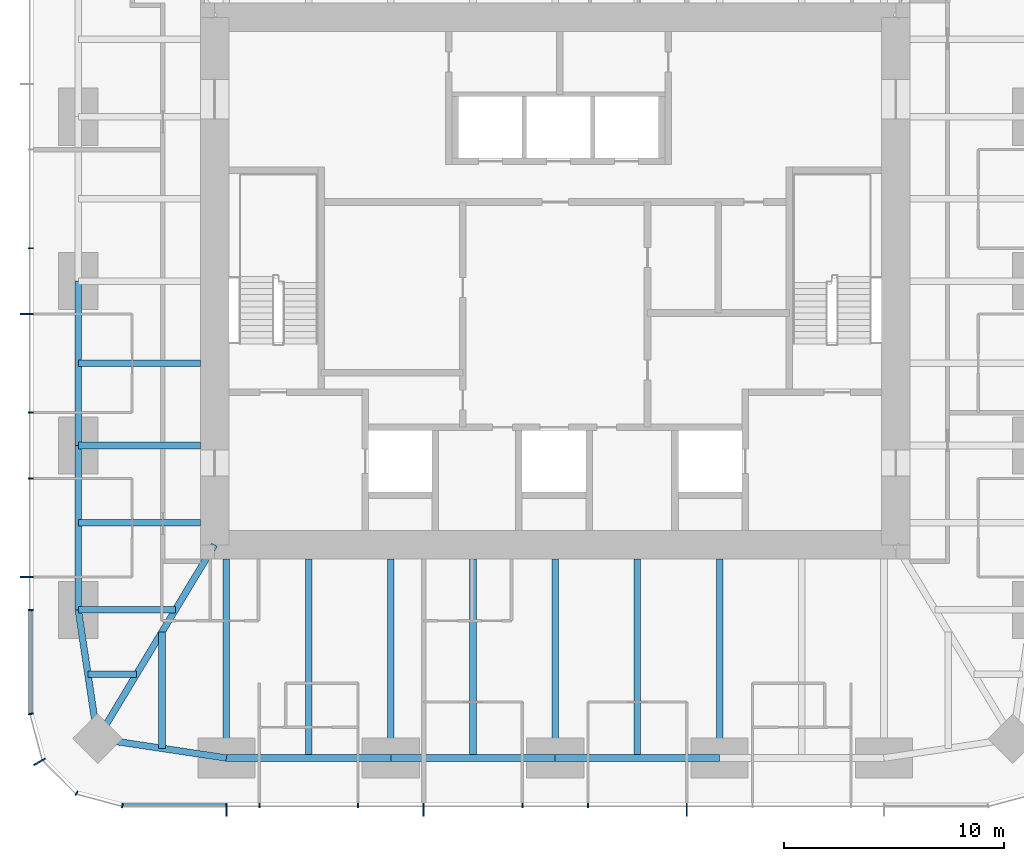
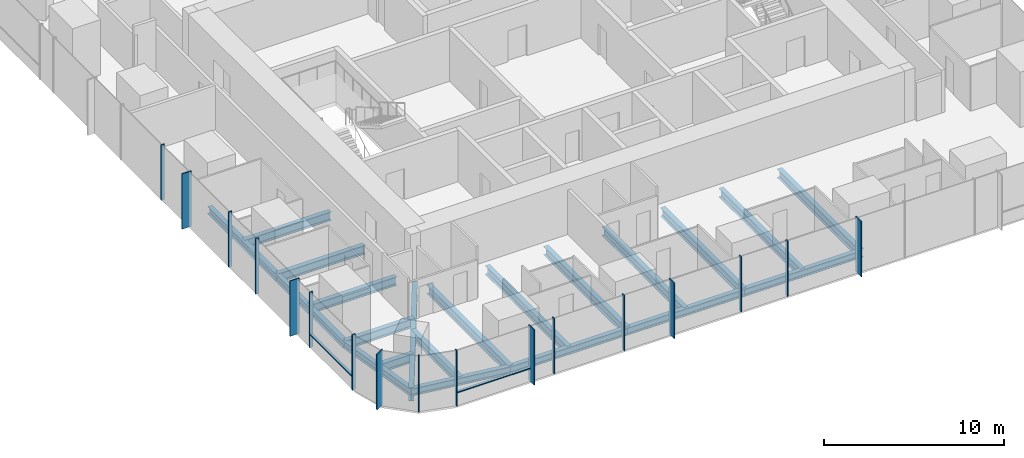
# One storey, part 2 of 12: 21 beams, 19 members, 3 elements without a shape of their own.
"""IFC4 building model written with IfcOpenShell, lengths in metres."""

from ifc_helpers import new_model, si_unit, direction, frame, origin, origin_2d, place, context, subcontext, project, spatial, rectangle, i_section, extrude, material, material_profile, profile_set, type_object, element, aggregate, save


model = new_model("IFC4")

# Units and contexts
model_context = context("Model", 3, precision=1e-05, world=origin(), true_north=direction((0.0, 1.0)))
body_context = subcontext(model_context, "Body", "Model", "MODEL_VIEW")
ifc_project = project(units=[si_unit("LENGTHUNIT", "METRE"), si_unit("AREAUNIT", "SQUARE_METRE"), si_unit("VOLUMEUNIT", "CUBIC_METRE"), si_unit("PLANEANGLEUNIT", "RADIAN"), si_unit("MASSUNIT", "GRAM", prefix="KILO")], contexts=[model_context])

# Site, building, storey
site_placement = place(None, origin())
site = spatial("IfcSite", under=ifc_project, at=site_placement, CompositionType="ELEMENT")
building_placement = place(site_placement, origin())
building = spatial("IfcBuilding", under=site, at=building_placement, Name="Khuree Lantern Residences", CompositionType="ELEMENT")
storey_placement = place(building_placement, frame((0.0, 0.0, 297.0)))
storey = spatial("IfcBuildingStorey", under=building, at=storey_placement, Name="L74", CompositionType="ELEMENT", Elevation=297.0)

# Beams
ifc_material_1 = material(Name="Steel S355", Category="steel")
ifc_material_profile_1 = material_profile(ifc_material_1, i_section(OverallWidth=0.300048828125, OverallDepth=0.590087890625, WebThickness=0.012939453125, FlangeThickness=0.02490234375, FilletRadius=0.027099609375, at=origin_2d()), Name="HE 600 A")
ifc_profile_set_1 = profile_set([ifc_material_profile_1], Name="Steel S355")
beam_type_1 = type_object("IfcBeamType", Name="B-41A SECONDARY BEAM HE 600 A", PredefinedType="BEAM", material=ifc_profile_set_1)
for number, where, z_axis, x_axis, name in (
    (1, (3.739990234375, -21.699951171875, -0.544921875), (0.0, 1.0, 0.0), (-1.0, 0.0, 0.0), "Secondary beam S3"),
    (2, (-3.739990234375, -21.699951171875, -0.544921875), (0.0, 1.0, 0.0), (-1.0, 0.0, 0.0), "Secondary beam S4"),
    (3, (-11.219970703125, -21.699951171875, -0.544921875), (0.0, 1.0, 0.0), (-1.0, 0.0, 0.0), "Secondary beam S5"),
):
    element("IfcBeam", number, at=place(storey_placement, frame(where, z_axis=z_axis, x_axis=x_axis)), inside=storey, type_object=beam_type_1, Name=name, PredefinedType="BEAM", context=body_context, shape_type="SweptSolid", body=[
        extrude(i_section(OverallWidth=0.300048828125, OverallDepth=0.590087890625, WebThickness=0.012939453125, FlangeThickness=0.02490234375, FilletRadius=0.027099609375, at=origin_2d()), origin(), (0.0, 0.0, 1.0), 9.050048828125),
    ])
beam_1_placement = place(storey_placement, frame((-17.890625, -21.2607421875, -0.544921875), z_axis=(0.0, 1.0, 0.0), x_axis=(-1.0, 0.0, 0.0)))
element("IfcBeam", 4, at=beam_1_placement, inside=storey, type_object=beam_type_1, Name="Secondary beam S6", PredefinedType="BEAM", context=body_context, shape_type="SweptSolid", body=[
    extrude(i_section(OverallWidth=0.300048828125, OverallDepth=0.590087890625, WebThickness=0.012939453125, FlangeThickness=0.02490234375, FilletRadius=0.027099609375, at=origin_2d()), origin(), (0.0, 0.0, 1.0), 5.297607421875),
])
beam_2_placement = place(storey_placement, frame((-21.2607421875, -17.890625, -0.544921875), z_axis=(1.0, 0.0, 0.0), x_axis=(0.0, 1.0, 0.0)))
element("IfcBeam", 5, at=beam_2_placement, inside=storey, type_object=beam_type_1, Name="Secondary beam W1", PredefinedType="BEAM", context=body_context, shape_type="SweptSolid", body=[
    extrude(i_section(OverallWidth=0.300048828125, OverallDepth=0.590087890625, WebThickness=0.012939453125, FlangeThickness=0.02490234375, FilletRadius=0.027099609375, at=origin_2d()), origin(), (0.0, 0.0, 1.0), 2.207275390625),
])
for number, where, z_axis, x_axis, name in (
    (6, (-21.699951171875, -11.0, -0.544921875), (1.0, 0.0, 0.0), (0.0, 1.0, 0.0), "Secondary beam W2"),
    (7, (-21.699951171875, -3.739990234375, -0.544921875), (1.0, 0.0, 0.0), (0.0, 1.0, 0.0), "Secondary beam W3"),
):
    element("IfcBeam", number, at=place(storey_placement, frame(where, z_axis=z_axis, x_axis=x_axis)), inside=storey, type_object=beam_type_1, Name=name, PredefinedType="BEAM", context=body_context, shape_type="SweptSolid", body=[
        extrude(i_section(OverallWidth=0.300048828125, OverallDepth=0.590087890625, WebThickness=0.012939453125, FlangeThickness=0.02490234375, FilletRadius=0.027099609375, at=origin_2d()), origin(), (0.0, 0.0, 1.0), 5.550048828125),
    ])
ifc_material_profile_2 = material_profile(ifc_material_1, i_section(OverallWidth=0.300048828125, OverallDepth=0.489990234375, WebThickness=0.011962890625, FlangeThickness=0.02294921875, FilletRadius=0.027099609375, at=origin_2d()), Name="HE 500 A")
ifc_profile_set_2 = profile_set([ifc_material_profile_2], Name="Steel S355")
beam_type_2 = type_object("IfcBeamType", Name="E-41 SPANDREL BEAM HE 500 A", PredefinedType="SPANDREL", material=ifc_profile_set_2)
for number, where, z_axis, x_axis, name in (
    (8, (7.47998046875, -21.699951171875, -0.4951171875), (-1.0, 0.0, 0.0), (0.0, -1.0, 0.0), "Spandrel beam S3"),
    (9, (0.0, -21.699951171875, -0.4951171875), (-1.0, 0.0, 0.0), (0.0, -1.0, 0.0), "Spandrel beam S4"),
    (10, (-7.47998046875, -21.699951171875, -0.4951171875), (-1.0, 0.0, 0.0), (0.0, -1.0, 0.0), "Spandrel beam S5"),
):
    element("IfcBeam", number, at=place(storey_placement, frame(where, z_axis=z_axis, x_axis=x_axis)), inside=storey, type_object=beam_type_2, Name=name, PredefinedType="SPANDREL", context=body_context, shape_type="SweptSolid", body=[
        extrude(i_section(OverallWidth=0.300048828125, OverallDepth=0.489990234375, WebThickness=0.011962890625, FlangeThickness=0.02294921875, FilletRadius=0.027099609375, at=origin_2d()), origin(), (0.0, 0.0, 1.0), 7.47998046875),
    ])
for number, where, z_axis, x_axis, name in (
    (11, (-14.9599609375, -21.699951171875, -0.4951171875), (-0.988949643299, 0.148251822985, 0.0), (-0.148251822985, -0.988949643299, 0.0), "Spandrel beam S6"),
    (12, (-20.8212890625, -20.8212890625, -0.4951171875), (-0.148251822985, 0.988949643299, 0.0), (-0.988949643299, -0.148251822985, 0.0), "Spandrel beam W1"),
):
    element("IfcBeam", number, at=place(storey_placement, frame(where, z_axis=z_axis, x_axis=x_axis)), inside=storey, type_object=beam_type_2, Name=name, PredefinedType="SPANDREL", context=body_context, shape_type="SweptSolid", body=[
        extrude(i_section(OverallWidth=0.300048828125, OverallDepth=0.489990234375, WebThickness=0.011962890625, FlangeThickness=0.02294921875, FilletRadius=0.027099609375, at=origin_2d()), origin(), (0.0, 0.0, 1.0), 5.9267578125),
    ])
for number, where, z_axis, x_axis, name in (
    (13, (-21.699951171875, -14.9599609375, -0.4951171875), (0.0, 1.0, 0.0), (-1.0, 0.0, 0.0), "Spandrel beam W2"),
    (14, (-21.699951171875, -7.47998046875, -0.4951171875), (0.0, 1.0, 0.0), (-1.0, 0.0, 0.0), "Spandrel beam W3"),
):
    element("IfcBeam", number, at=place(storey_placement, frame(where, z_axis=z_axis, x_axis=x_axis)), inside=storey, type_object=beam_type_2, Name=name, PredefinedType="SPANDREL", context=body_context, shape_type="SweptSolid", body=[
        extrude(i_section(OverallWidth=0.300048828125, OverallDepth=0.489990234375, WebThickness=0.011962890625, FlangeThickness=0.02294921875, FilletRadius=0.027099609375, at=origin_2d()), origin(), (0.0, 0.0, 1.0), 7.47998046875),
    ])

# Curtain wall, members
ifc_material_2 = material(Name="Bronze anodised aluminium", Category="aluminium")
curtain_wall_type_1 = type_object("IfcCurtainWallType", Name="CW-T1 TOWER FACE CURTAIN WALL", PredefinedType="USERDEFINED", material=ifc_material_2)
curtain_wall_1_placement = place(storey_placement, origin())
curtain_wall_1 = element("IfcCurtainWall", 15, at=curtain_wall_1_placement, inside=storey, type_object=curtain_wall_type_1, Name="L74 WEST FACE CURTAIN WALL", ObjectType="Stick-built curtain wall", PredefinedType="USERDEFINED")
ifc_material_profile_3 = material_profile(ifc_material_2, rectangle(XDim=0.06494140625, YDim=0.60009765625, at=origin_2d()), Name="F1 65X600")
ifc_profile_set_3 = profile_set([ifc_material_profile_3], Name="Bronze anodised aluminium")
member_type_1 = type_object("IfcMemberType", Name="F1 BRONZE FIN MULLION TOWER 65X600", PredefinedType="MULLION", material=ifc_profile_set_3)
member_1_placement = place(storey_placement, frame((-24.050048828125, -1.49609375, 0.0), z_axis=(0.0, 0.0, 1.0), x_axis=(0.0, -1.0, 0.0)))
member_1 = element("IfcMember", 16, at=member_1_placement, type_object=member_type_1, Name="L74 WEST FACE FIN MULLION 38", PredefinedType="MULLION", context=body_context, shape_type="SweptSolid", body=[
    extrude(rectangle(XDim=0.06494140625, YDim=0.60009765625, at=origin_2d()), origin(), (0.0, 0.0, 1.0), 3.75),
])
member_2_placement = place(storey_placement, frame((-24.050048828125, -13.464111328125, 0.0), z_axis=(0.0, 0.0, 1.0), x_axis=(0.0, -1.0, 0.0)))
member_2 = element("IfcMember", 17, at=member_2_placement, type_object=member_type_1, Name="L74 WEST FACE FIN MULLION 41", PredefinedType="MULLION", context=body_context, shape_type="SweptSolid", body=[
    extrude(rectangle(XDim=0.06494140625, YDim=0.60009765625, at=origin_2d()), origin(), (0.0, 0.0, 1.0), 3.75),
])

# Curtain wall, member
curtain_wall_type_2 = type_object("IfcCurtainWallType", Name="CW-T2 TOWER CORNER CURTAIN WALL", PredefinedType="USERDEFINED", material=ifc_material_2)
curtain_wall_2_placement = place(storey_placement, origin())
curtain_wall_2 = element("IfcCurtainWall", 18, at=curtain_wall_2_placement, inside=storey, type_object=curtain_wall_type_2, Name="L74 SOUTH-WEST CORNER CURTAIN WALL", ObjectType="Faceted corner curtain wall", PredefinedType="USERDEFINED")
member_3_placement = place(storey_placement, frame((-23.46728515625, -21.875, 0.0), z_axis=(0.0, 0.0, 1.0), x_axis=(0.49999994149, -0.866025437565, 0.0)))
member_3 = element("IfcMember", 19, at=member_3_placement, type_object=member_type_1, Name="L74 SOUTH-WEST CORNER FIN MULLION 44", PredefinedType="MULLION", context=body_context, shape_type="SweptSolid", body=[
    extrude(rectangle(XDim=0.06494140625, YDim=0.60009765625, at=origin_2d()), origin(), (0.0, 0.0, 1.0), 3.75),
])

# Curtain wall, members
curtain_wall_3_placement = place(storey_placement, origin())
curtain_wall_3 = element("IfcCurtainWall", 20, at=curtain_wall_3_placement, inside=storey, type_object=curtain_wall_type_1, Name="L74 SOUTH FACE CURTAIN WALL", ObjectType="Stick-built curtain wall", PredefinedType="USERDEFINED")
member_4_placement = place(storey_placement, frame((-14.9599609375, -24.050048828125, 0.0), z_axis=(0.0, 0.0, 1.0), x_axis=(1.0, 0.0, 0.0)))
member_4 = element("IfcMember", 21, at=member_4_placement, type_object=member_type_1, Name="L74 SOUTH FACE FIN MULLION 47", PredefinedType="MULLION", context=body_context, shape_type="SweptSolid", body=[
    extrude(rectangle(XDim=0.06494140625, YDim=0.60009765625, at=origin_2d()), origin(), (0.0, 0.0, 1.0), 3.75),
])
member_5_placement = place(storey_placement, frame((-5.98388671875, -24.050048828125, 0.0), z_axis=(0.0, 0.0, 1.0), x_axis=(1.0, 0.0, 0.0)))
member_5 = element("IfcMember", 22, at=member_5_placement, type_object=member_type_1, Name="L74 SOUTH FACE FIN MULLION 50", PredefinedType="MULLION", context=body_context, shape_type="SweptSolid", body=[
    extrude(rectangle(XDim=0.06494140625, YDim=0.60009765625, at=origin_2d()), origin(), (0.0, 0.0, 1.0), 3.75),
])
member_6_placement = place(storey_placement, frame((5.98388671875, -24.050048828125, 0.0), z_axis=(0.0, 0.0, 1.0), x_axis=(1.0, 0.0, 0.0)))
member_6 = element("IfcMember", 23, at=member_6_placement, type_object=member_type_1, Name="L74 SOUTH FACE FIN MULLION 53", PredefinedType="MULLION", context=body_context, shape_type="SweptSolid", body=[
    extrude(rectangle(XDim=0.06494140625, YDim=0.60009765625, at=origin_2d()), origin(), (0.0, 0.0, 1.0), 3.75),
])

# Beams
ifc_material_profile_4 = material_profile(ifc_material_1, i_section(OverallWidth=0.300048828125, OverallDepth=0.60009765625, WebThickness=0.015380859375, FlangeThickness=0.030029296875, FilletRadius=0.027099609375, at=origin_2d()), Name="HE 600 B")
ifc_profile_set_4 = profile_set([ifc_material_profile_4], Name="Steel S355")
beam_type_3 = type_object("IfcBeamType", Name="G-41 GIRDER HE 600 B", PredefinedType="BEAM", material=ifc_profile_set_4)
for number, where, z_axis, x_axis, name in (
    (24, (7.47998046875, -21.699951171875, -0.550048828125), (0.0, 1.0, 0.0), (-1.0, 0.0, 0.0), "Girder S2"),
    (25, (0.0, -21.699951171875, -0.550048828125), (0.0, 1.0, 0.0), (-1.0, 0.0, 0.0), "Girder S3"),
    (26, (-7.47998046875, -21.699951171875, -0.550048828125), (0.0, 1.0, 0.0), (-1.0, 0.0, 0.0), "Girder S4"),
    (27, (-14.9599609375, -21.699951171875, -0.550048828125), (0.0, 1.0, 0.0), (-1.0, 0.0, 0.0), "Girder S5"),
):
    element("IfcBeam", number, at=place(storey_placement, frame(where, z_axis=z_axis, x_axis=x_axis)), inside=storey, type_object=beam_type_3, Name=name, PredefinedType="BEAM", context=body_context, shape_type="SweptSolid", body=[
        extrude(i_section(OverallWidth=0.300048828125, OverallDepth=0.60009765625, WebThickness=0.015380859375, FlangeThickness=0.030029296875, FilletRadius=0.027099609375, at=origin_2d()), origin(), (0.0, 0.0, 1.0), 9.050048828125),
    ])
beam_3_placement = place(storey_placement, frame((-21.699951171875, -14.9599609375, -0.550048828125), z_axis=(1.0, 0.0, 0.0), x_axis=(0.0, 1.0, 0.0)))
element("IfcBeam", 28, at=beam_3_placement, inside=storey, type_object=beam_type_3, Name="Girder W1", PredefinedType="BEAM", context=body_context, shape_type="SweptSolid", body=[
    extrude(i_section(OverallWidth=0.300048828125, OverallDepth=0.60009765625, WebThickness=0.015380859375, FlangeThickness=0.030029296875, FilletRadius=0.027099609375, at=origin_2d()), origin(), (0.0, 0.0, 1.0), 4.414306640625),
])
beam_4_placement = place(storey_placement, frame((-21.699951171875, -7.47998046875, -0.550048828125), z_axis=(1.0, 0.0, 0.0), x_axis=(0.0, 1.0, 0.0)))
element("IfcBeam", 29, at=beam_4_placement, inside=storey, type_object=beam_type_3, Name="Girder W2", PredefinedType="BEAM", context=body_context, shape_type="SweptSolid", body=[
    extrude(i_section(OverallWidth=0.300048828125, OverallDepth=0.60009765625, WebThickness=0.015380859375, FlangeThickness=0.030029296875, FilletRadius=0.027099609375, at=origin_2d()), origin(), (0.0, 0.0, 1.0), 5.550048828125),
])
ifc_material_profile_5 = material_profile(ifc_material_1, i_section(OverallWidth=0.300048828125, OverallDepth=0.89990234375, WebThickness=0.0185546875, FlangeThickness=0.034912109375, FilletRadius=0.030029296875, at=origin_2d()), Name="HE 900 B")
ifc_profile_set_5 = profile_set([ifc_material_profile_5], Name="Steel S355")
beam_type_4 = type_object("IfcBeamType", Name="GD-41 CORNER GIRDER HE 900 B", PredefinedType="BEAM", material=ifc_profile_set_5)
beam_5_placement = place(storey_placement, frame((-20.8212890625, -20.8212890625, -0.699951171875), z_axis=(0.516529577604, 0.856269347495, 0.0), x_axis=(-0.856269347495, 0.516529577604, 0.0)))
element("IfcBeam", 30, at=beam_5_placement, inside=storey, type_object=beam_type_4, Name="Corner girder SW", PredefinedType="BEAM", context=body_context, shape_type="SweptSolid", body=[
    extrude(i_section(OverallWidth=0.300048828125, OverallDepth=0.89990234375, WebThickness=0.0185546875, FlangeThickness=0.034912109375, FilletRadius=0.030029296875, at=origin_2d()), origin(), (0.0, 0.0, 1.0), 10.302001953125),
])

# Member
ifc_material_profile_6 = material_profile(ifc_material_2, rectangle(XDim=0.06494140625, YDim=0.219970703125, at=origin_2d()), Name="M1 65X220")
ifc_profile_set_6 = profile_set([ifc_material_profile_6], Name="Bronze anodised aluminium")
member_type_2 = type_object("IfcMemberType", Name="M1 BRONZE MULLION TOWER 65X220", PredefinedType="MULLION", material=ifc_profile_set_6)
member_7_placement = place(storey_placement, frame((-23.860107421875, 1.49609375, 0.0), z_axis=(0.0, 0.0, 1.0), x_axis=(0.0, -1.0, 0.0)))
member_7 = element("IfcMember", 31, at=member_7_placement, type_object=member_type_2, Name="L74 WEST FACE MULLION 37", PredefinedType="MULLION", context=body_context, shape_type="SweptSolid", body=[
    extrude(rectangle(XDim=0.06494140625, YDim=0.219970703125, at=origin_2d()), origin(), (0.0, 0.0, 1.0), 3.75),
])

member_8_placement = place(storey_placement, frame((-23.860107421875, -5.98388671875, 0.0), z_axis=(0.0, 0.0, 1.0), x_axis=(0.0, -1.0, 0.0)))
member_8 = element("IfcMember", 32, at=member_8_placement, type_object=member_type_2, Name="L74 WEST FACE MULLION 39", PredefinedType="MULLION", context=body_context, shape_type="SweptSolid", body=[
    extrude(rectangle(XDim=0.06494140625, YDim=0.219970703125, at=origin_2d()), origin(), (0.0, 0.0, 1.0), 3.75),
])

member_9_placement = place(storey_placement, frame((-23.860107421875, -8.97607421875, 0.0), z_axis=(0.0, 0.0, 1.0), x_axis=(0.0, -1.0, 0.0)))
member_9 = element("IfcMember", 33, at=member_9_placement, type_object=member_type_2, Name="L74 WEST FACE MULLION 40", PredefinedType="MULLION", context=body_context, shape_type="SweptSolid", body=[
    extrude(rectangle(XDim=0.06494140625, YDim=0.219970703125, at=origin_2d()), origin(), (0.0, 0.0, 1.0), 3.75),
])

member_10_placement = place(storey_placement, frame((-23.860107421875, -14.9599609375, 0.0), z_axis=(0.0, 0.0, 1.0), x_axis=(0.0, -1.0, 0.0)))
member_10 = element("IfcMember", 34, at=member_10_placement, type_object=member_type_2, Name="L74 WEST FACE MULLION 42", PredefinedType="MULLION", context=body_context, shape_type="SweptSolid", body=[
    extrude(rectangle(XDim=0.06494140625, YDim=0.219970703125, at=origin_2d()), origin(), (0.0, 0.0, 1.0), 3.75),
])

member_11_placement = place(storey_placement, frame((-23.86181640625, -19.695068359375, 0.0), z_axis=(0.0, 0.0, 1.0), x_axis=(0.130526125236, -0.991444870192, 0.0)))
member_11 = element("IfcMember", 35, at=member_11_placement, type_object=member_type_2, Name="L74 SOUTH-WEST CORNER MULLION 43", PredefinedType="MULLION", context=body_context, shape_type="SweptSolid", body=[
    extrude(rectangle(XDim=0.06494140625, YDim=0.219970703125, at=origin_2d()), origin(), (0.0, 0.0, 1.0), 3.75),
])

member_12_placement = place(storey_placement, frame((-21.780029296875, -23.302734375, 0.0), z_axis=(0.0, 0.0, 1.0), x_axis=(0.866025437565, -0.49999994149, 0.0)))
member_12 = element("IfcMember", 36, at=member_12_placement, type_object=member_type_2, Name="L74 SOUTH-WEST CORNER MULLION 45", PredefinedType="MULLION", context=body_context, shape_type="SweptSolid", body=[
    extrude(rectangle(XDim=0.06494140625, YDim=0.219970703125, at=origin_2d()), origin(), (0.0, 0.0, 1.0), 3.75),
])

aggregate(curtain_wall_2, [member_11, member_3, member_12])

member_13_placement = place(storey_placement, frame((-19.695068359375, -23.86181640625, 0.0), z_axis=(0.0, 0.0, 1.0), x_axis=(0.991444870192, -0.130526125236, 0.0)))
member_13 = element("IfcMember", 37, at=member_13_placement, type_object=member_type_2, Name="L74 SOUTH FACE MULLION 46", PredefinedType="MULLION", context=body_context, shape_type="SweptSolid", body=[
    extrude(rectangle(XDim=0.06494140625, YDim=0.219970703125, at=origin_2d()), origin(), (0.0, 0.0, 1.0), 3.75),
])

member_14_placement = place(storey_placement, frame((-13.464111328125, -23.860107421875, 0.0), z_axis=(0.0, 0.0, 1.0), x_axis=(1.0, 0.0, 0.0)))
member_14 = element("IfcMember", 38, at=member_14_placement, type_object=member_type_2, Name="L74 SOUTH FACE MULLION 48", PredefinedType="MULLION", context=body_context, shape_type="SweptSolid", body=[
    extrude(rectangle(XDim=0.06494140625, YDim=0.219970703125, at=origin_2d()), origin(), (0.0, 0.0, 1.0), 3.75),
])

member_15_placement = place(storey_placement, frame((-8.97607421875, -23.860107421875, 0.0), z_axis=(0.0, 0.0, 1.0), x_axis=(1.0, 0.0, 0.0)))
member_15 = element("IfcMember", 39, at=member_15_placement, type_object=member_type_2, Name="L74 SOUTH FACE MULLION 49", PredefinedType="MULLION", context=body_context, shape_type="SweptSolid", body=[
    extrude(rectangle(XDim=0.06494140625, YDim=0.219970703125, at=origin_2d()), origin(), (0.0, 0.0, 1.0), 3.75),
])

member_16_placement = place(storey_placement, frame((-1.49609375, -23.860107421875, 0.0), z_axis=(0.0, 0.0, 1.0), x_axis=(1.0, 0.0, 0.0)))
member_16 = element("IfcMember", 40, at=member_16_placement, type_object=member_type_2, Name="L74 SOUTH FACE MULLION 51", PredefinedType="MULLION", context=body_context, shape_type="SweptSolid", body=[
    extrude(rectangle(XDim=0.06494140625, YDim=0.219970703125, at=origin_2d()), origin(), (0.0, 0.0, 1.0), 3.75),
])

member_17_placement = place(storey_placement, frame((1.49609375, -23.860107421875, 0.0), z_axis=(0.0, 0.0, 1.0), x_axis=(1.0, 0.0, 0.0)))
member_17 = element("IfcMember", 41, at=member_17_placement, type_object=member_type_2, Name="L74 SOUTH FACE MULLION 52", PredefinedType="MULLION", context=body_context, shape_type="SweptSolid", body=[
    extrude(rectangle(XDim=0.06494140625, YDim=0.219970703125, at=origin_2d()), origin(), (0.0, 0.0, 1.0), 3.75),
])

ifc_material_profile_7 = material_profile(ifc_material_2, rectangle(XDim=0.179931640625, YDim=0.06494140625, at=origin_2d()), Name="T1 180X65")
ifc_profile_set_7 = profile_set([ifc_material_profile_7], Name="Bronze anodised aluminium")
member_type_3 = type_object("IfcMemberType", Name="TRANSOM T1 TOWER 180X65", PredefinedType="USERDEFINED", material=ifc_profile_set_7)
member_18_placement = place(storey_placement, frame((-23.8701171875, -14.992431640625, 0.89990234375), z_axis=(0.0, -1.0, 0.0), x_axis=(1.0, 0.0, 0.0)))
member_18 = element("IfcMember", 42, at=member_18_placement, type_object=member_type_3, Name="L74 WEST FACE TRANSOM 42.1", ObjectType="Transom", PredefinedType="USERDEFINED", context=body_context, shape_type="SweptSolid", body=[
    extrude(rectangle(XDim=0.179931640625, YDim=0.06494140625, at=origin_2d()), origin(), (0.0, 0.0, 1.0), 4.658935546875),
])

aggregate(curtain_wall_1, [member_7, member_1, member_8, member_9, member_2, member_10, member_18])

member_19_placement = place(storey_placement, frame((-19.6513671875, -23.8701171875, 0.89990234375), z_axis=(1.0, 0.0, 0.0), x_axis=(0.0, 1.0, 0.0)))
member_19 = element("IfcMember", 43, at=member_19_placement, type_object=member_type_3, Name="L74 SOUTH FACE TRANSOM 46.1", ObjectType="Transom", PredefinedType="USERDEFINED", context=body_context, shape_type="SweptSolid", body=[
    extrude(rectangle(XDim=0.179931640625, YDim=0.06494140625, at=origin_2d()), origin(), (0.0, 0.0, 1.0), 4.658935546875),
])

aggregate(curtain_wall_3, [member_13, member_4, member_14, member_15, member_5, member_16, member_17, member_6, member_19])

save(model, "model.ifc")
